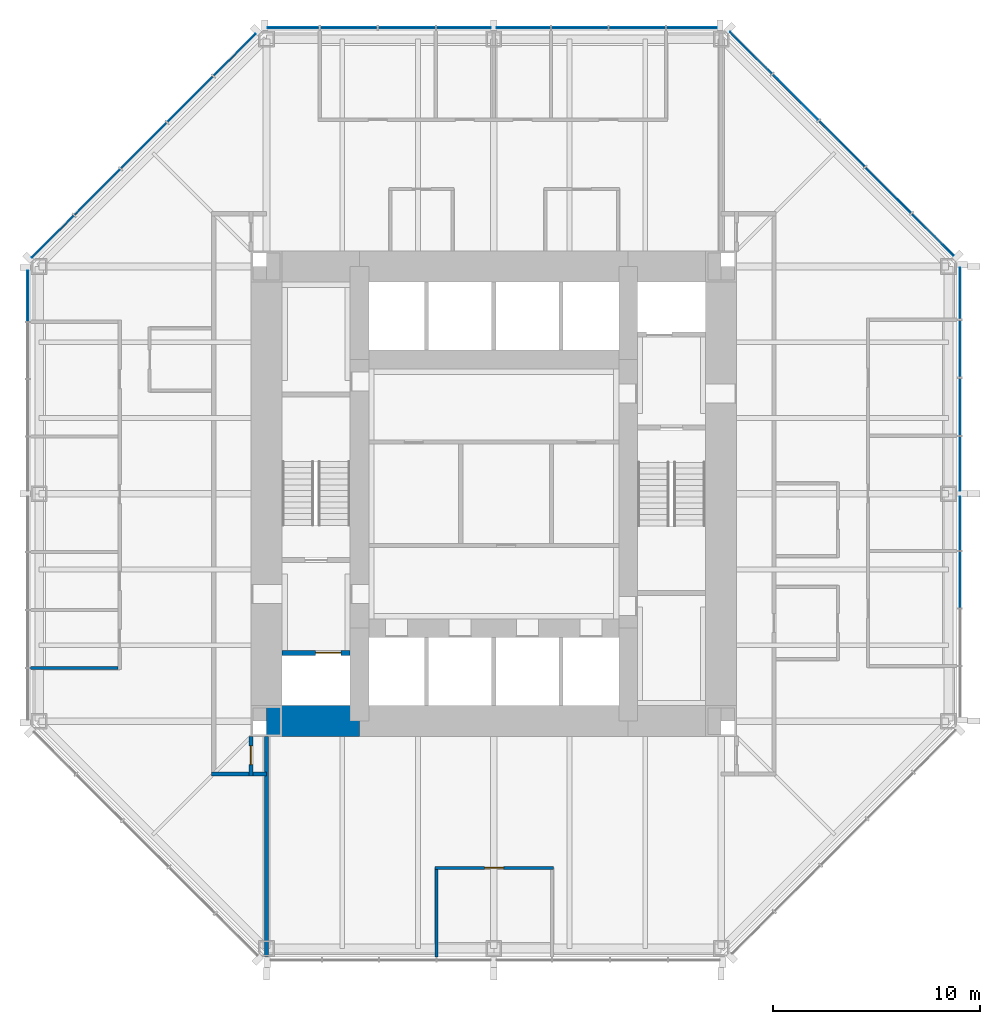
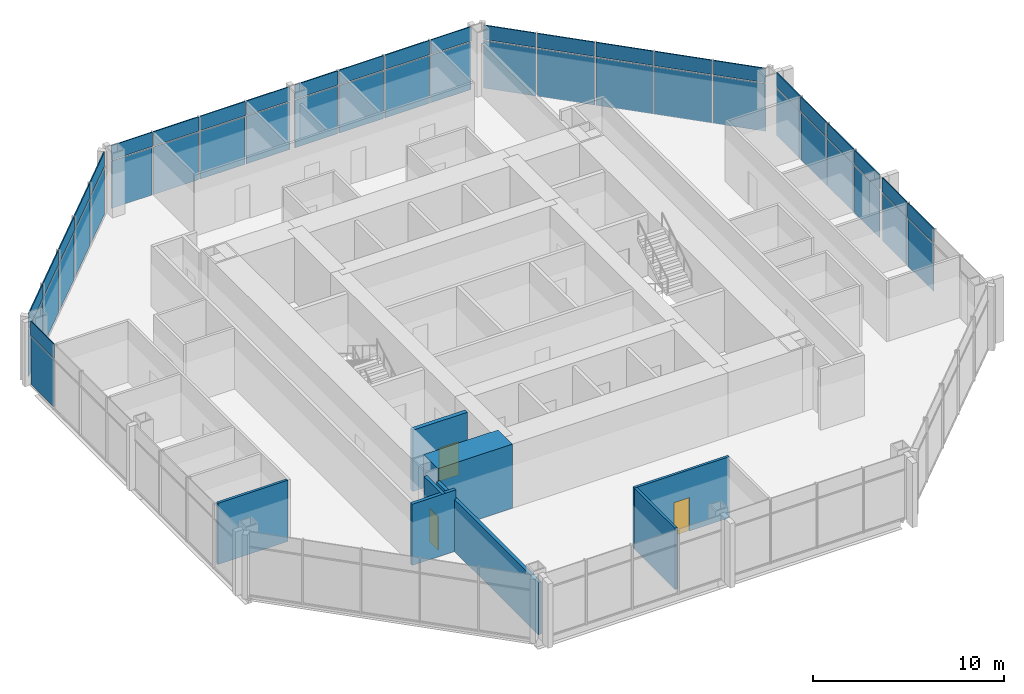
# One storey, part 8 of 12: 50 plates, 8 walls, 3 doors, 3 openings, 5 elements without a shape of their own.
"""IFC4 building model written with IfcOpenShell, lengths in metres."""

import ifcopenshell
import ifcopenshell.guid

model = None  # the IFC model being written
_history = None  # IfcOwnerHistory: only IFC2X3 demands one
_inside = {}  # id of a spatial element -> (the spatial element, [elements in it])
_under = {}  # id of a project, library or spatial element -> (it, [spatial elements below it])
_declared = {}  # id of a project -> (the project, [libraries it declares])
_typed = {}  # id of a type object -> (the type object, [elements of that type])
_made_of = {}  # id of a material, layer set ... -> (it, [elements and type objects made of it])


def new_model(schema):
    """Start an empty IFC model of exactly this schema.

    Asked for "IFC4X3", IfcOpenShell would pick the latest addendum, in which some entities
    have other attributes; the version numbers below select the first issue.
    IFC2X3 requires an IfcOwnerHistory on every rooted entity: one is made here for all.
    """
    global model, _history
    if schema == "IFC4X3":
        model = ifcopenshell.file(schema_version=(4, 3, 0, 0))
    else:
        model = ifcopenshell.file(schema=schema)
    _inside.clear()
    _under.clear()
    _declared.clear()
    _typed.clear()
    _made_of.clear()
    _history = None
    if model.schema == "IFC2X3":
        org = make("IfcOrganization", Name="unknown")
        user = make(
            "IfcPersonAndOrganization",
            ThePerson=make("IfcPerson", FamilyName="unknown"),
            TheOrganization=org,
        )
        app = make(
            "IfcApplication",
            ApplicationDeveloper=org,
            Version="unknown",
            ApplicationFullName="unknown",
            ApplicationIdentifier="unknown",
        )
        _history = make(
            "IfcOwnerHistory",
            OwningUser=user,
            OwningApplication=app,
            ChangeAction="ADDED",
            CreationDate=0,
        )
    return model


def make(cls, **values):
    """One entity of the class cls with the attributes given. An attribute that is None is left unset."""
    return model.create_entity(
        cls, **{name: value for name, value in values.items() if value is not None}
    )


def rooted(cls, **values):
    """An entity with a GlobalId (a new one), such as an element, a storey or a relation."""
    return make(cls, GlobalId=ifcopenshell.guid.new(), OwnerHistory=_history, **values)


def si_unit(unit_type, name, prefix=None):
    """IfcSIUnit, for example si_unit("LENGTHUNIT", "METRE", prefix="MILLI")."""
    return make("IfcSIUnit", UnitType=unit_type, Prefix=prefix, Name=name)


def assignment(units):
    """IfcUnitAssignment: the units of a project."""
    return None if units is None else make("IfcUnitAssignment", Units=units)


def point(xyz):
    """IfcCartesianPoint."""
    return None if xyz is None else make("IfcCartesianPoint", Coordinates=xyz)


def direction(xyz):
    """IfcDirection."""
    return None if xyz is None else make("IfcDirection", DirectionRatios=xyz)


def frame(location, z_axis=None, x_axis=None):
    """IfcAxis2Placement3D, a coordinate frame: its origin and axes. An axis left out is left unset."""
    return make(
        "IfcAxis2Placement3D",
        Location=point(location),
        Axis=direction(z_axis),
        RefDirection=direction(x_axis),
    )


def frame_2d(location, x_axis=None):
    """IfcAxis2Placement2D, a coordinate frame in the plane: its origin and x axis."""
    return make(
        "IfcAxis2Placement2D", Location=point(location), RefDirection=direction(x_axis)
    )


def origin():
    """The frame at (0, 0, 0) with its axes left unset."""
    return frame((0.0, 0.0, 0.0))


def origin_2d():
    """The frame at (0, 0) in the plane with its x axis left unset."""
    return frame_2d((0.0, 0.0))


def place(relative_to, where):
    """IfcLocalPlacement: puts the frame where relative to a parent placement (None: the world)."""
    return make(
        "IfcLocalPlacement", PlacementRelTo=relative_to, RelativePlacement=where
    )


def context(
    kind, dimensions, precision=None, world=None, true_north=None, identifier=None
):
    """IfcGeometricRepresentationContext, for example the 3D "Model" context."""
    return make(
        "IfcGeometricRepresentationContext",
        ContextIdentifier=identifier,
        ContextType=kind,
        CoordinateSpaceDimension=dimensions,
        Precision=precision,
        WorldCoordinateSystem=world,
        TrueNorth=true_north,
    )


def subcontext(parent, identifier, kind, view, scale=None):
    """IfcGeometricRepresentationSubContext, for example "Body" below "Model"."""
    return make(
        "IfcGeometricRepresentationSubContext",
        ContextIdentifier=identifier,
        ContextType=kind,
        ParentContext=parent,
        TargetScale=scale,
        TargetView=view,
    )


def project(units=None, contexts=None):
    """IfcProject with its units and contexts."""
    return rooted(
        "IfcProject",
        Name="project",
        RepresentationContexts=contexts,
        UnitsInContext=assignment(units),
    )


def spatial(cls, under=None, at=None, **own):
    """A site, building, storey or space (cls), placed at a placement, below another one or the project."""
    s = rooted(cls, ObjectPlacement=at, **own)
    if under is not None:
        _under.setdefault(under.id(), (under, []))[1].append(s)
    return s


def profile(cls, at=None, kind="AREA", **sizes):
    """A parametric profile (cls). Its sizes go by their IFC names, for example OverallWidth=200.0."""
    return make(cls, ProfileType=kind, Position=at, **sizes)


def rectangle(**sizes):
    """IfcRectangleProfileDef."""
    return profile("IfcRectangleProfileDef", **sizes)


def extrude(swept, where, along, depth):
    """IfcExtrudedAreaSolid: the profile swept, set in the frame where, extruded along a direction by depth."""
    return make(
        "IfcExtrudedAreaSolid",
        SweptArea=swept,
        Position=where,
        ExtrudedDirection=direction(along),
        Depth=depth,
    )


def shape(context_of_items, identifier, shape_type, items):
    """IfcShapeRepresentation: the items that make up one representation, for example the "Body"."""
    return make(
        "IfcShapeRepresentation",
        ContextOfItems=context_of_items,
        RepresentationIdentifier=identifier,
        RepresentationType=shape_type,
        Items=items,
    )


def material(Name=None, Category=None):
    """IfcMaterial."""
    return make("IfcMaterial", Name=Name, Category=Category)


def layer(
    of_material, thickness, ventilated=None, Name=None, Category=None, Priority=None
):
    """IfcMaterialLayer: one layer of a wall or slab, of a material (None: an air gap)."""
    return make(
        "IfcMaterialLayer",
        Material=of_material,
        LayerThickness=thickness,
        IsVentilated=ventilated,
        Name=Name,
        Category=Category,
        Priority=Priority,
    )


def layer_set(layers, Name=None):
    """IfcMaterialLayerSet."""
    return make("IfcMaterialLayerSet", MaterialLayers=layers, LayerSetName=Name)


def made_of(thing, what):
    """Note that an element or type object is made of a material, layer set ...; save() writes the relation."""
    if what is not None:
        _made_of.setdefault(what.id(), (what, []))[1].append(thing)
    return thing


def type_object(cls, material=None, **own):
    """A type object (cls), such as IfcWallType, which elements share."""
    return made_of(rooted(cls, **own), material)


def element(
    cls,
    number,
    at=None,
    inside=None,
    cuts=None,
    type_object=None,
    material=None,
    context=None,
    identifier="Body",
    shape_type=None,
    held_by="IfcProductDefinitionShape",
    body=None,
    shapes=None,
    **own,
):
    """One element of the class cls, such as IfcWall. Its Tag is "e" and its number.

    at: its placement. inside: the storey or other place that contains it. cuts: it is an
    opening in that element (IfcRelVoidsElement). A single representation is given by context,
    identifier, shape_type and body (its items); several are given by shapes. held_by: the class
    of the entity that holds the representations. save() writes the other relations.
    """
    e = rooted(cls, Tag="e%d" % number, ObjectPlacement=at, **own)
    if body is not None:
        shapes = [shape(context, identifier, shape_type, body)]
    if shapes is not None:
        e.Representation = make(held_by, Representations=shapes)
    if inside is not None:
        _inside.setdefault(inside.id(), (inside, []))[1].append(e)
    if cuts is not None:
        rooted(
            "IfcRelVoidsElement", RelatingBuildingElement=cuts, RelatedOpeningElement=e
        )
    if type_object is not None:
        _typed.setdefault(type_object.id(), (type_object, []))[1].append(e)
    return made_of(e, material)


def fill(opening, filler):
    """IfcRelFillsElement: the door or window that sits in an opening."""
    return rooted(
        "IfcRelFillsElement",
        RelatingOpeningElement=opening,
        RelatedBuildingElement=filler,
    )


def aggregate(whole, parts):
    """IfcRelAggregates: a whole, such as a stair, and the parts it consists of."""
    return rooted("IfcRelAggregates", RelatingObject=whole, RelatedObjects=parts)


def save(model, path):
    """Write the relations noted so far, then the file.

    IfcRelAggregates (storeys below a building ...), IfcRelContainedInSpatialStructure (elements
    in a storey), IfcRelDefinesByType, IfcRelAssociatesMaterial and IfcRelDeclares: one each for
    every whole, place, type object, material and project.
    """
    for whole, parts in _under.values():
        aggregate(whole, parts)
    for where, things in _inside.values():
        rooted(
            "IfcRelContainedInSpatialStructure",
            RelatedElements=things,
            RelatingStructure=where,
        )
    for kind, things in _typed.values():
        rooted("IfcRelDefinesByType", RelatedObjects=things, RelatingType=kind)
    for what, things in _made_of.values():
        rooted("IfcRelAssociatesMaterial", RelatedObjects=things, RelatingMaterial=what)
    for by, libraries in _declared.values():
        rooted("IfcRelDeclares", RelatingContext=by, RelatedDefinitions=libraries)
    model.write(path)


model = new_model("IFC4")

# Units and contexts
model_context = context("Model", 3, precision=1e-05, world=origin(), true_north=direction((0.0, 1.0)))
body_context = subcontext(model_context, "Body", "Model", "MODEL_VIEW")
ifc_project = project(units=[si_unit("LENGTHUNIT", "METRE"), si_unit("AREAUNIT", "SQUARE_METRE"), si_unit("VOLUMEUNIT", "CUBIC_METRE"), si_unit("PLANEANGLEUNIT", "RADIAN"), si_unit("MASSUNIT", "GRAM", prefix="KILO")], contexts=[model_context])

# Site, building, storey
site_placement = place(None, origin())
site = spatial("IfcSite", under=ifc_project, at=site_placement, CompositionType="ELEMENT")
building_placement = place(site_placement, origin())
building = spatial("IfcBuilding", under=site, at=building_placement, Name="Trevanion Tower", CompositionType="ELEMENT")
storey_placement = place(building_placement, frame((0.0, 0.0, 129.5)))
storey = spatial("IfcBuildingStorey", under=building, at=storey_placement, Name="L30", CompositionType="ELEMENT", Elevation=129.5)

# Curtain wall, plates
ifc_material_1 = material(Name="Aluminium and glass", Category="aluminium")
curtain_wall_type = type_object("IfcCurtainWallType", Name="CW2 curtain wall", PredefinedType="USERDEFINED", material=ifc_material_1)
curtain_wall_1_placement = place(storey_placement, origin())
curtain_wall_1 = element("IfcCurtainWall", 1, at=curtain_wall_1_placement, inside=storey, type_object=curtain_wall_type, Name="CW2 L30 0", ObjectType="UNITISED CURTAIN WALL", PredefinedType="USERDEFINED")
ifc_material_2 = material(Name="Aluminium spandrel panel", Category="aluminium")
ifc_layer_1 = layer(ifc_material_2, 0.06005859375)
ifc_layer_set_1 = layer_set([ifc_layer_1], Name="CW2 spandrel panel")
plate_type_1 = type_object("IfcPlateType", Name="CW2 spandrel panel", PredefinedType="CURTAIN_PANEL", material=ifc_layer_set_1)
plate_1_placement = place(storey_placement, frame((22.550048828125, -4.16162109375, 2.99755859375), z_axis=(0.0, 0.0, 1.0), x_axis=(0.0, 1.0, 0.0)))
plate_1 = element("IfcPlate", 2, at=plate_1_placement, type_object=plate_type_1, Name="CW2 panel 3.2", PredefinedType="CURTAIN_PANEL", context=body_context, shape_type="SweptSolid", body=[
    extrude(rectangle(XDim=2.699462890625, YDim=0.06005859375, at=origin_2d()), origin(), (0.0, 0.0, 1.0), 0.91259765625),
])
plate_2_placement = place(storey_placement, frame((22.550048828125, -1.443603515625, 2.99755859375), z_axis=(0.0, 0.0, 1.0), x_axis=(0.0, 1.0, 0.0)))
plate_2 = element("IfcPlate", 3, at=plate_2_placement, type_object=plate_type_1, Name="CW2 panel 4.2", PredefinedType="CURTAIN_PANEL", context=body_context, shape_type="SweptSolid", body=[
    extrude(rectangle(XDim=2.5869140625, YDim=0.06005859375, at=origin_2d()), origin(), (0.0, 0.0, 1.0), 0.91259765625),
])
plate_3_placement = place(storey_placement, frame((22.550048828125, 1.459716796875, 2.99755859375), z_axis=(0.0, 0.0, 1.0), x_axis=(0.0, 1.0, 0.0)))
plate_3 = element("IfcPlate", 4, at=plate_3_placement, type_object=plate_type_1, Name="CW2 panel 5.2", PredefinedType="CURTAIN_PANEL", context=body_context, shape_type="SweptSolid", body=[
    extrude(rectangle(XDim=2.619384765625, YDim=0.06005859375, at=origin_2d()), origin(), (0.0, 0.0, 1.0), 0.91259765625),
])
plate_4_placement = place(storey_placement, frame((22.550048828125, 4.21044921875, 2.99755859375), z_axis=(0.0, 0.0, 1.0), x_axis=(0.0, 1.0, 0.0)))
plate_4 = element("IfcPlate", 5, at=plate_4_placement, type_object=plate_type_1, Name="CW2 panel 6.2", PredefinedType="CURTAIN_PANEL", context=body_context, shape_type="SweptSolid", body=[
    extrude(rectangle(XDim=2.73193359375, YDim=0.06005859375, at=origin_2d()), origin(), (0.0, 0.0, 1.0), 0.91259765625),
])
plate_5_placement = place(storey_placement, frame((22.550048828125, 7.017333984375, 2.99755859375), z_axis=(0.0, 0.0, 1.0), x_axis=(0.0, 1.0, 0.0)))
plate_5 = element("IfcPlate", 6, at=plate_5_placement, type_object=plate_type_1, Name="CW2 panel 7.2", PredefinedType="CURTAIN_PANEL", context=body_context, shape_type="SweptSolid", body=[
    extrude(rectangle(XDim=2.73193359375, YDim=0.06005859375, at=origin_2d()), origin(), (0.0, 0.0, 1.0), 0.91259765625),
])
plate_6_placement = place(storey_placement, frame((22.550048828125, 9.693115234375, 2.99755859375), z_axis=(0.0, 0.0, 1.0), x_axis=(0.0, 1.0, 0.0)))
plate_6 = element("IfcPlate", 7, at=plate_6_placement, type_object=plate_type_1, Name="CW2 panel 8.2", PredefinedType="CURTAIN_PANEL", context=body_context, shape_type="SweptSolid", body=[
    extrude(rectangle(XDim=2.469482421875, YDim=0.06005859375, at=origin_2d()), origin(), (0.0, 0.0, 1.0), 0.91259765625),
])

curtain_wall_2_placement = place(storey_placement, origin())
curtain_wall_2 = element("IfcCurtainWall", 8, at=curtain_wall_2_placement, inside=storey, type_object=curtain_wall_type, Name="CW2 L30 1", ObjectType="UNITISED CURTAIN WALL", PredefinedType="USERDEFINED")
plate_7_placement = place(storey_placement, frame((21.2421875, 12.53564453125, 2.99755859375), z_axis=(0.0, 0.0, 1.0), x_axis=(-0.707106781187, 0.707106781187, 0.0)))
plate_7 = element("IfcPlate", 9, at=plate_7_placement, type_object=plate_type_1, Name="CW2 panel 1.2", PredefinedType="CURTAIN_PANEL", context=body_context, shape_type="SweptSolid", body=[
    extrude(rectangle(XDim=2.8388671875, YDim=0.06005859375, at=origin_2d()), origin(), (0.0, 0.0, 1.0), 0.91259765625),
])
plate_8_placement = place(storey_placement, frame((19.089111328125, 14.688720703125, 2.99755859375), z_axis=(0.0, 0.0, 1.0), x_axis=(-0.707106781187, 0.707106781187, 0.0)))
plate_8 = element("IfcPlate", 10, at=plate_8_placement, type_object=plate_type_1, Name="CW2 panel 2.2", PredefinedType="CURTAIN_PANEL", context=body_context, shape_type="SweptSolid", body=[
    extrude(rectangle(XDim=3.101318359375, YDim=0.06005859375, at=origin_2d()), origin(), (0.0, 0.0, 1.0), 0.91259765625),
])
plate_9_placement = place(storey_placement, frame((16.843017578125, 16.934814453125, 2.99755859375), z_axis=(0.0, 0.0, 1.0), x_axis=(-0.707106781187, 0.707106781187, 0.0)))
plate_9 = element("IfcPlate", 11, at=plate_9_placement, type_object=plate_type_1, Name="CW2 panel 3.2", PredefinedType="CURTAIN_PANEL", context=body_context, shape_type="SweptSolid", body=[
    extrude(rectangle(XDim=3.101318359375, YDim=0.06005859375, at=origin_2d()), origin(), (0.0, 0.0, 1.0), 0.91259765625),
])
plate_10_placement = place(storey_placement, frame((14.596923828125, 19.180908203125, 2.99755859375), z_axis=(0.0, 0.0, 1.0), x_axis=(-0.707106781187, 0.707106781187, 0.0)))
plate_10 = element("IfcPlate", 12, at=plate_10_placement, type_object=plate_type_1, Name="CW2 panel 4.2", PredefinedType="CURTAIN_PANEL", context=body_context, shape_type="SweptSolid", body=[
    extrude(rectangle(XDim=3.101318359375, YDim=0.06005859375, at=origin_2d()), origin(), (0.0, 0.0, 1.0), 0.91259765625),
])
plate_11_placement = place(storey_placement, frame((12.443603515625, 21.334228515625, 2.99755859375), z_axis=(0.0, 0.0, 1.0), x_axis=(-0.707106781187, 0.707106781187, 0.0)))
plate_11 = element("IfcPlate", 13, at=plate_11_placement, type_object=plate_type_1, Name="CW2 panel 5.2", PredefinedType="CURTAIN_PANEL", context=body_context, shape_type="SweptSolid", body=[
    extrude(rectangle(XDim=2.8388671875, YDim=0.06005859375, at=origin_2d()), origin(), (0.0, 0.0, 1.0), 0.91259765625),
])

curtain_wall_3_placement = place(storey_placement, origin())
curtain_wall_3 = element("IfcCurtainWall", 14, at=curtain_wall_3_placement, inside=storey, type_object=curtain_wall_type, Name="CW2 L30 2", ObjectType="UNITISED CURTAIN WALL", PredefinedType="USERDEFINED")
plate_12_placement = place(storey_placement, frame((9.579345703125, 22.550048828125, 2.99755859375), z_axis=(0.0, 0.0, 1.0), x_axis=(-1.0, 0.0, 0.0)))
plate_12 = element("IfcPlate", 15, at=plate_12_placement, type_object=plate_type_1, Name="CW2 panel 1.2", PredefinedType="CURTAIN_PANEL", context=body_context, shape_type="SweptSolid", body=[
    extrude(rectangle(XDim=2.43701171875, YDim=0.06005859375, at=origin_2d()), origin(), (0.0, 0.0, 1.0), 0.91259765625),
])
plate_13_placement = place(storey_placement, frame((6.93603515625, 22.550048828125, 2.99755859375), z_axis=(0.0, 0.0, 1.0), x_axis=(-1.0, 0.0, 0.0)))
plate_13 = element("IfcPlate", 16, at=plate_13_placement, type_object=plate_type_1, Name="CW2 panel 2.2", PredefinedType="CURTAIN_PANEL", context=body_context, shape_type="SweptSolid", body=[
    extrude(rectangle(XDim=2.699462890625, YDim=0.06005859375, at=origin_2d()), origin(), (0.0, 0.0, 1.0), 0.91259765625),
])
plate_14_placement = place(storey_placement, frame((4.16162109375, 22.550048828125, 2.99755859375), z_axis=(0.0, 0.0, 1.0), x_axis=(-1.0, 0.0, 0.0)))
plate_14 = element("IfcPlate", 17, at=plate_14_placement, type_object=plate_type_1, Name="CW2 panel 3.2", PredefinedType="CURTAIN_PANEL", context=body_context, shape_type="SweptSolid", body=[
    extrude(rectangle(XDim=2.699462890625, YDim=0.06005859375, at=origin_2d()), origin(), (0.0, 0.0, 1.0), 0.91259765625),
])
plate_15_placement = place(storey_placement, frame((1.443603515625, 22.550048828125, 2.99755859375), z_axis=(0.0, 0.0, 1.0), x_axis=(-1.0, 0.0, 0.0)))
plate_15 = element("IfcPlate", 18, at=plate_15_placement, type_object=plate_type_1, Name="CW2 panel 4.2", PredefinedType="CURTAIN_PANEL", context=body_context, shape_type="SweptSolid", body=[
    extrude(rectangle(XDim=2.5869140625, YDim=0.06005859375, at=origin_2d()), origin(), (0.0, 0.0, 1.0), 0.91259765625),
])
plate_16_placement = place(storey_placement, frame((-1.459716796875, 22.550048828125, 2.99755859375), z_axis=(0.0, 0.0, 1.0), x_axis=(-1.0, 0.0, 0.0)))
plate_16 = element("IfcPlate", 19, at=plate_16_placement, type_object=plate_type_1, Name="CW2 panel 5.2", PredefinedType="CURTAIN_PANEL", context=body_context, shape_type="SweptSolid", body=[
    extrude(rectangle(XDim=2.619384765625, YDim=0.06005859375, at=origin_2d()), origin(), (0.0, 0.0, 1.0), 0.91259765625),
])
plate_17_placement = place(storey_placement, frame((-4.21044921875, 22.550048828125, 2.99755859375), z_axis=(0.0, 0.0, 1.0), x_axis=(-1.0, 0.0, 0.0)))
plate_17 = element("IfcPlate", 20, at=plate_17_placement, type_object=plate_type_1, Name="CW2 panel 6.2", PredefinedType="CURTAIN_PANEL", context=body_context, shape_type="SweptSolid", body=[
    extrude(rectangle(XDim=2.73193359375, YDim=0.06005859375, at=origin_2d()), origin(), (0.0, 0.0, 1.0), 0.91259765625),
])
plate_18_placement = place(storey_placement, frame((-7.017333984375, 22.550048828125, 2.99755859375), z_axis=(0.0, 0.0, 1.0), x_axis=(-1.0, 0.0, 0.0)))
plate_18 = element("IfcPlate", 21, at=plate_18_placement, type_object=plate_type_1, Name="CW2 panel 7.2", PredefinedType="CURTAIN_PANEL", context=body_context, shape_type="SweptSolid", body=[
    extrude(rectangle(XDim=2.73193359375, YDim=0.06005859375, at=origin_2d()), origin(), (0.0, 0.0, 1.0), 0.91259765625),
])
plate_19_placement = place(storey_placement, frame((-9.693115234375, 22.550048828125, 2.99755859375), z_axis=(0.0, 0.0, 1.0), x_axis=(-1.0, 0.0, 0.0)))
plate_19 = element("IfcPlate", 22, at=plate_19_placement, type_object=plate_type_1, Name="CW2 panel 8.2", PredefinedType="CURTAIN_PANEL", context=body_context, shape_type="SweptSolid", body=[
    extrude(rectangle(XDim=2.469482421875, YDim=0.06005859375, at=origin_2d()), origin(), (0.0, 0.0, 1.0), 0.91259765625),
])

curtain_wall_4_placement = place(storey_placement, origin())
curtain_wall_4 = element("IfcCurtainWall", 23, at=curtain_wall_4_placement, inside=storey, type_object=curtain_wall_type, Name="CW2 L30 3", ObjectType="UNITISED CURTAIN WALL", PredefinedType="USERDEFINED")
plate_20_placement = place(storey_placement, frame((-12.53564453125, 21.2421875, 2.99755859375), z_axis=(0.0, 0.0, 1.0), x_axis=(-0.707106781187, -0.707106781187, 0.0)))
plate_20 = element("IfcPlate", 24, at=plate_20_placement, type_object=plate_type_1, Name="CW2 panel 1.2", PredefinedType="CURTAIN_PANEL", context=body_context, shape_type="SweptSolid", body=[
    extrude(rectangle(XDim=2.8388671875, YDim=0.06005859375, at=origin_2d()), origin(), (0.0, 0.0, 1.0), 0.91259765625),
])
plate_21_placement = place(storey_placement, frame((-14.688720703125, 19.089111328125, 2.99755859375), z_axis=(0.0, 0.0, 1.0), x_axis=(-0.707106781187, -0.707106781187, 0.0)))
plate_21 = element("IfcPlate", 25, at=plate_21_placement, type_object=plate_type_1, Name="CW2 panel 2.2", PredefinedType="CURTAIN_PANEL", context=body_context, shape_type="SweptSolid", body=[
    extrude(rectangle(XDim=3.101318359375, YDim=0.06005859375, at=origin_2d()), origin(), (0.0, 0.0, 1.0), 0.91259765625),
])
plate_22_placement = place(storey_placement, frame((-16.934814453125, 16.843017578125, 2.99755859375), z_axis=(0.0, 0.0, 1.0), x_axis=(-0.707106781187, -0.707106781187, 0.0)))
plate_22 = element("IfcPlate", 26, at=plate_22_placement, type_object=plate_type_1, Name="CW2 panel 3.2", PredefinedType="CURTAIN_PANEL", context=body_context, shape_type="SweptSolid", body=[
    extrude(rectangle(XDim=3.101318359375, YDim=0.06005859375, at=origin_2d()), origin(), (0.0, 0.0, 1.0), 0.91259765625),
])
plate_23_placement = place(storey_placement, frame((-19.180908203125, 14.596923828125, 2.99755859375), z_axis=(0.0, 0.0, 1.0), x_axis=(-0.707106781187, -0.707106781187, 0.0)))
plate_23 = element("IfcPlate", 27, at=plate_23_placement, type_object=plate_type_1, Name="CW2 panel 4.2", PredefinedType="CURTAIN_PANEL", context=body_context, shape_type="SweptSolid", body=[
    extrude(rectangle(XDim=3.101318359375, YDim=0.06005859375, at=origin_2d()), origin(), (0.0, 0.0, 1.0), 0.91259765625),
])
plate_24_placement = place(storey_placement, frame((-21.334228515625, 12.443603515625, 2.99755859375), z_axis=(0.0, 0.0, 1.0), x_axis=(-0.707106781187, -0.707106781187, 0.0)))
plate_24 = element("IfcPlate", 28, at=plate_24_placement, type_object=plate_type_1, Name="CW2 panel 5.2", PredefinedType="CURTAIN_PANEL", context=body_context, shape_type="SweptSolid", body=[
    extrude(rectangle(XDim=2.8388671875, YDim=0.06005859375, at=origin_2d()), origin(), (0.0, 0.0, 1.0), 0.91259765625),
])

# Curtain wall, plate
curtain_wall_5_placement = place(storey_placement, origin())
curtain_wall_5 = element("IfcCurtainWall", 29, at=curtain_wall_5_placement, inside=storey, type_object=curtain_wall_type, Name="CW2 L30 4", ObjectType="UNITISED CURTAIN WALL", PredefinedType="USERDEFINED")
plate_25_placement = place(storey_placement, frame((-22.550048828125, 9.579345703125, 2.99755859375), z_axis=(0.0, 0.0, 1.0), x_axis=(0.0, -1.0, 0.0)))
plate_25 = element("IfcPlate", 30, at=plate_25_placement, type_object=plate_type_1, Name="CW2 panel 1.2", PredefinedType="CURTAIN_PANEL", context=body_context, shape_type="SweptSolid", body=[
    extrude(rectangle(XDim=2.43701171875, YDim=0.06005859375, at=origin_2d()), origin(), (0.0, 0.0, 1.0), 0.91259765625),
])

# Plate
ifc_material_3 = material(Name="Insulating glass unit", Category="glass")
ifc_layer_2 = layer(ifc_material_3, 0.028076171875)
ifc_layer_set_2 = layer_set([ifc_layer_2], Name="CW2 vision panel")
plate_type_2 = type_object("IfcPlateType", Name="CW2 vision panel", PredefinedType="CURTAIN_PANEL", material=ifc_layer_set_2)
plate_26_placement = place(storey_placement, frame((22.550048828125, -4.16162109375, -0.114990234375), z_axis=(0.0, 0.0, 1.0), x_axis=(0.0, 1.0, 0.0)))
plate_26 = element("IfcPlate", 31, at=plate_26_placement, type_object=plate_type_2, Name="CW2 panel 3.1", PredefinedType="CURTAIN_PANEL", context=body_context, shape_type="SweptSolid", body=[
    extrude(rectangle(XDim=2.699462890625, YDim=0.028076171875, at=origin_2d()), origin(), (0.0, 0.0, 1.0), 3.03759765625),
])

plate_27_placement = place(storey_placement, frame((22.550048828125, -1.443603515625, -0.114990234375), z_axis=(0.0, 0.0, 1.0), x_axis=(0.0, 1.0, 0.0)))
plate_27 = element("IfcPlate", 32, at=plate_27_placement, type_object=plate_type_2, Name="CW2 panel 4.1", PredefinedType="CURTAIN_PANEL", context=body_context, shape_type="SweptSolid", body=[
    extrude(rectangle(XDim=2.5869140625, YDim=0.028076171875, at=origin_2d()), origin(), (0.0, 0.0, 1.0), 3.03759765625),
])

plate_28_placement = place(storey_placement, frame((22.550048828125, 1.459716796875, -0.114990234375), z_axis=(0.0, 0.0, 1.0), x_axis=(0.0, 1.0, 0.0)))
plate_28 = element("IfcPlate", 33, at=plate_28_placement, type_object=plate_type_2, Name="CW2 panel 5.1", PredefinedType="CURTAIN_PANEL", context=body_context, shape_type="SweptSolid", body=[
    extrude(rectangle(XDim=2.619384765625, YDim=0.028076171875, at=origin_2d()), origin(), (0.0, 0.0, 1.0), 3.03759765625),
])

plate_29_placement = place(storey_placement, frame((22.550048828125, 4.21044921875, -0.114990234375), z_axis=(0.0, 0.0, 1.0), x_axis=(0.0, 1.0, 0.0)))
plate_29 = element("IfcPlate", 34, at=plate_29_placement, type_object=plate_type_2, Name="CW2 panel 6.1", PredefinedType="CURTAIN_PANEL", context=body_context, shape_type="SweptSolid", body=[
    extrude(rectangle(XDim=2.73193359375, YDim=0.028076171875, at=origin_2d()), origin(), (0.0, 0.0, 1.0), 3.03759765625),
])

plate_30_placement = place(storey_placement, frame((22.550048828125, 7.017333984375, -0.114990234375), z_axis=(0.0, 0.0, 1.0), x_axis=(0.0, 1.0, 0.0)))
plate_30 = element("IfcPlate", 35, at=plate_30_placement, type_object=plate_type_2, Name="CW2 panel 7.1", PredefinedType="CURTAIN_PANEL", context=body_context, shape_type="SweptSolid", body=[
    extrude(rectangle(XDim=2.73193359375, YDim=0.028076171875, at=origin_2d()), origin(), (0.0, 0.0, 1.0), 3.03759765625),
])

plate_31_placement = place(storey_placement, frame((22.550048828125, 9.693115234375, -0.114990234375), z_axis=(0.0, 0.0, 1.0), x_axis=(0.0, 1.0, 0.0)))
plate_31 = element("IfcPlate", 36, at=plate_31_placement, type_object=plate_type_2, Name="CW2 panel 8.1", PredefinedType="CURTAIN_PANEL", context=body_context, shape_type="SweptSolid", body=[
    extrude(rectangle(XDim=2.469482421875, YDim=0.028076171875, at=origin_2d()), origin(), (0.0, 0.0, 1.0), 3.03759765625),
])

aggregate(curtain_wall_1, [plate_26, plate_1, plate_27, plate_2, plate_28, plate_3, plate_29, plate_4, plate_30, plate_5, plate_31, plate_6])

plate_32_placement = place(storey_placement, frame((21.2421875, 12.53564453125, -0.114990234375), z_axis=(0.0, 0.0, 1.0), x_axis=(-0.707106781187, 0.707106781187, 0.0)))
plate_32 = element("IfcPlate", 37, at=plate_32_placement, type_object=plate_type_2, Name="CW2 panel 1.1", PredefinedType="CURTAIN_PANEL", context=body_context, shape_type="SweptSolid", body=[
    extrude(rectangle(XDim=2.8388671875, YDim=0.028076171875, at=origin_2d()), origin(), (0.0, 0.0, 1.0), 3.03759765625),
])

plate_33_placement = place(storey_placement, frame((19.089111328125, 14.688720703125, -0.114990234375), z_axis=(0.0, 0.0, 1.0), x_axis=(-0.707106781187, 0.707106781187, 0.0)))
plate_33 = element("IfcPlate", 38, at=plate_33_placement, type_object=plate_type_2, Name="CW2 panel 2.1", PredefinedType="CURTAIN_PANEL", context=body_context, shape_type="SweptSolid", body=[
    extrude(rectangle(XDim=3.101318359375, YDim=0.028076171875, at=origin_2d()), origin(), (0.0, 0.0, 1.0), 3.03759765625),
])

plate_34_placement = place(storey_placement, frame((16.843017578125, 16.934814453125, -0.114990234375), z_axis=(0.0, 0.0, 1.0), x_axis=(-0.707106781187, 0.707106781187, 0.0)))
plate_34 = element("IfcPlate", 39, at=plate_34_placement, type_object=plate_type_2, Name="CW2 panel 3.1", PredefinedType="CURTAIN_PANEL", context=body_context, shape_type="SweptSolid", body=[
    extrude(rectangle(XDim=3.101318359375, YDim=0.028076171875, at=origin_2d()), origin(), (0.0, 0.0, 1.0), 3.03759765625),
])

plate_35_placement = place(storey_placement, frame((14.596923828125, 19.180908203125, -0.114990234375), z_axis=(0.0, 0.0, 1.0), x_axis=(-0.707106781187, 0.707106781187, 0.0)))
plate_35 = element("IfcPlate", 40, at=plate_35_placement, type_object=plate_type_2, Name="CW2 panel 4.1", PredefinedType="CURTAIN_PANEL", context=body_context, shape_type="SweptSolid", body=[
    extrude(rectangle(XDim=3.101318359375, YDim=0.028076171875, at=origin_2d()), origin(), (0.0, 0.0, 1.0), 3.03759765625),
])

plate_36_placement = place(storey_placement, frame((12.443603515625, 21.334228515625, -0.114990234375), z_axis=(0.0, 0.0, 1.0), x_axis=(-0.707106781187, 0.707106781187, 0.0)))
plate_36 = element("IfcPlate", 41, at=plate_36_placement, type_object=plate_type_2, Name="CW2 panel 5.1", PredefinedType="CURTAIN_PANEL", context=body_context, shape_type="SweptSolid", body=[
    extrude(rectangle(XDim=2.8388671875, YDim=0.028076171875, at=origin_2d()), origin(), (0.0, 0.0, 1.0), 3.03759765625),
])

aggregate(curtain_wall_2, [plate_32, plate_7, plate_33, plate_8, plate_34, plate_9, plate_35, plate_10, plate_36, plate_11])

plate_37_placement = place(storey_placement, frame((9.579345703125, 22.550048828125, -0.114990234375), z_axis=(0.0, 0.0, 1.0), x_axis=(-1.0, 0.0, 0.0)))
plate_37 = element("IfcPlate", 42, at=plate_37_placement, type_object=plate_type_2, Name="CW2 panel 1.1", PredefinedType="CURTAIN_PANEL", context=body_context, shape_type="SweptSolid", body=[
    extrude(rectangle(XDim=2.43701171875, YDim=0.028076171875, at=origin_2d()), origin(), (0.0, 0.0, 1.0), 3.03759765625),
])

plate_38_placement = place(storey_placement, frame((6.93603515625, 22.550048828125, -0.114990234375), z_axis=(0.0, 0.0, 1.0), x_axis=(-1.0, 0.0, 0.0)))
plate_38 = element("IfcPlate", 43, at=plate_38_placement, type_object=plate_type_2, Name="CW2 panel 2.1", PredefinedType="CURTAIN_PANEL", context=body_context, shape_type="SweptSolid", body=[
    extrude(rectangle(XDim=2.699462890625, YDim=0.028076171875, at=origin_2d()), origin(), (0.0, 0.0, 1.0), 3.03759765625),
])

plate_39_placement = place(storey_placement, frame((4.16162109375, 22.550048828125, -0.114990234375), z_axis=(0.0, 0.0, 1.0), x_axis=(-1.0, 0.0, 0.0)))
plate_39 = element("IfcPlate", 44, at=plate_39_placement, type_object=plate_type_2, Name="CW2 panel 3.1", PredefinedType="CURTAIN_PANEL", context=body_context, shape_type="SweptSolid", body=[
    extrude(rectangle(XDim=2.699462890625, YDim=0.028076171875, at=origin_2d()), origin(), (0.0, 0.0, 1.0), 3.03759765625),
])

plate_40_placement = place(storey_placement, frame((1.443603515625, 22.550048828125, -0.114990234375), z_axis=(0.0, 0.0, 1.0), x_axis=(-1.0, 0.0, 0.0)))
plate_40 = element("IfcPlate", 45, at=plate_40_placement, type_object=plate_type_2, Name="CW2 panel 4.1", PredefinedType="CURTAIN_PANEL", context=body_context, shape_type="SweptSolid", body=[
    extrude(rectangle(XDim=2.5869140625, YDim=0.028076171875, at=origin_2d()), origin(), (0.0, 0.0, 1.0), 3.03759765625),
])

plate_41_placement = place(storey_placement, frame((-1.459716796875, 22.550048828125, -0.114990234375), z_axis=(0.0, 0.0, 1.0), x_axis=(-1.0, 0.0, 0.0)))
plate_41 = element("IfcPlate", 46, at=plate_41_placement, type_object=plate_type_2, Name="CW2 panel 5.1", PredefinedType="CURTAIN_PANEL", context=body_context, shape_type="SweptSolid", body=[
    extrude(rectangle(XDim=2.619384765625, YDim=0.028076171875, at=origin_2d()), origin(), (0.0, 0.0, 1.0), 3.03759765625),
])

plate_42_placement = place(storey_placement, frame((-4.21044921875, 22.550048828125, -0.114990234375), z_axis=(0.0, 0.0, 1.0), x_axis=(-1.0, 0.0, 0.0)))
plate_42 = element("IfcPlate", 47, at=plate_42_placement, type_object=plate_type_2, Name="CW2 panel 6.1", PredefinedType="CURTAIN_PANEL", context=body_context, shape_type="SweptSolid", body=[
    extrude(rectangle(XDim=2.73193359375, YDim=0.028076171875, at=origin_2d()), origin(), (0.0, 0.0, 1.0), 3.03759765625),
])

plate_43_placement = place(storey_placement, frame((-7.017333984375, 22.550048828125, -0.114990234375), z_axis=(0.0, 0.0, 1.0), x_axis=(-1.0, 0.0, 0.0)))
plate_43 = element("IfcPlate", 48, at=plate_43_placement, type_object=plate_type_2, Name="CW2 panel 7.1", PredefinedType="CURTAIN_PANEL", context=body_context, shape_type="SweptSolid", body=[
    extrude(rectangle(XDim=2.73193359375, YDim=0.028076171875, at=origin_2d()), origin(), (0.0, 0.0, 1.0), 3.03759765625),
])

plate_44_placement = place(storey_placement, frame((-9.693115234375, 22.550048828125, -0.114990234375), z_axis=(0.0, 0.0, 1.0), x_axis=(-1.0, 0.0, 0.0)))
plate_44 = element("IfcPlate", 49, at=plate_44_placement, type_object=plate_type_2, Name="CW2 panel 8.1", PredefinedType="CURTAIN_PANEL", context=body_context, shape_type="SweptSolid", body=[
    extrude(rectangle(XDim=2.469482421875, YDim=0.028076171875, at=origin_2d()), origin(), (0.0, 0.0, 1.0), 3.03759765625),
])

aggregate(curtain_wall_3, [plate_37, plate_12, plate_38, plate_13, plate_39, plate_14, plate_40, plate_15, plate_41, plate_16, plate_42, plate_17, plate_43, plate_18, plate_44, plate_19])

plate_45_placement = place(storey_placement, frame((-12.53564453125, 21.2421875, -0.114990234375), z_axis=(0.0, 0.0, 1.0), x_axis=(-0.707106781187, -0.707106781187, 0.0)))
plate_45 = element("IfcPlate", 50, at=plate_45_placement, type_object=plate_type_2, Name="CW2 panel 1.1", PredefinedType="CURTAIN_PANEL", context=body_context, shape_type="SweptSolid", body=[
    extrude(rectangle(XDim=2.8388671875, YDim=0.028076171875, at=origin_2d()), origin(), (0.0, 0.0, 1.0), 3.03759765625),
])

plate_46_placement = place(storey_placement, frame((-14.688720703125, 19.089111328125, -0.114990234375), z_axis=(0.0, 0.0, 1.0), x_axis=(-0.707106781187, -0.707106781187, 0.0)))
plate_46 = element("IfcPlate", 51, at=plate_46_placement, type_object=plate_type_2, Name="CW2 panel 2.1", PredefinedType="CURTAIN_PANEL", context=body_context, shape_type="SweptSolid", body=[
    extrude(rectangle(XDim=3.101318359375, YDim=0.028076171875, at=origin_2d()), origin(), (0.0, 0.0, 1.0), 3.03759765625),
])

plate_47_placement = place(storey_placement, frame((-16.934814453125, 16.843017578125, -0.114990234375), z_axis=(0.0, 0.0, 1.0), x_axis=(-0.707106781187, -0.707106781187, 0.0)))
plate_47 = element("IfcPlate", 52, at=plate_47_placement, type_object=plate_type_2, Name="CW2 panel 3.1", PredefinedType="CURTAIN_PANEL", context=body_context, shape_type="SweptSolid", body=[
    extrude(rectangle(XDim=3.101318359375, YDim=0.028076171875, at=origin_2d()), origin(), (0.0, 0.0, 1.0), 3.03759765625),
])

plate_48_placement = place(storey_placement, frame((-19.180908203125, 14.596923828125, -0.114990234375), z_axis=(0.0, 0.0, 1.0), x_axis=(-0.707106781187, -0.707106781187, 0.0)))
plate_48 = element("IfcPlate", 53, at=plate_48_placement, type_object=plate_type_2, Name="CW2 panel 4.1", PredefinedType="CURTAIN_PANEL", context=body_context, shape_type="SweptSolid", body=[
    extrude(rectangle(XDim=3.101318359375, YDim=0.028076171875, at=origin_2d()), origin(), (0.0, 0.0, 1.0), 3.03759765625),
])

plate_49_placement = place(storey_placement, frame((-21.334228515625, 12.443603515625, -0.114990234375), z_axis=(0.0, 0.0, 1.0), x_axis=(-0.707106781187, -0.707106781187, 0.0)))
plate_49 = element("IfcPlate", 54, at=plate_49_placement, type_object=plate_type_2, Name="CW2 panel 5.1", PredefinedType="CURTAIN_PANEL", context=body_context, shape_type="SweptSolid", body=[
    extrude(rectangle(XDim=2.8388671875, YDim=0.028076171875, at=origin_2d()), origin(), (0.0, 0.0, 1.0), 3.03759765625),
])

aggregate(curtain_wall_4, [plate_45, plate_20, plate_46, plate_21, plate_47, plate_22, plate_48, plate_23, plate_49, plate_24])

plate_50_placement = place(storey_placement, frame((-22.550048828125, 9.579345703125, -0.114990234375), z_axis=(0.0, 0.0, 1.0), x_axis=(0.0, -1.0, 0.0)))
plate_50 = element("IfcPlate", 55, at=plate_50_placement, type_object=plate_type_2, Name="CW2 panel 1.1", PredefinedType="CURTAIN_PANEL", context=body_context, shape_type="SweptSolid", body=[
    extrude(rectangle(XDim=2.43701171875, YDim=0.028076171875, at=origin_2d()), origin(), (0.0, 0.0, 1.0), 3.03759765625),
])

aggregate(curtain_wall_5, [plate_50, plate_25])

# Walls
ifc_material_4 = material(Name="Concrete 10,000 psi", Category="concrete")
ifc_layer_3 = layer(ifc_material_4, 1.5)
ifc_layer_set_3 = layer_set([ifc_layer_3], Name="CW1 core wall 1500")
wall_type_1 = type_object("IfcWallType", Name="CW1 core wall 1500", PredefinedType="SHEAR", material=ifc_layer_set_3)
wall_1_placement = place(storey_placement, frame((-11.0, -11.0, 0.0), z_axis=(0.0, 0.0, 1.0), x_axis=(1.0, 0.0, 0.0)))
element("IfcWall", 56, at=wall_1_placement, inside=storey, type_object=wall_type_1, Name="CW1 CS1 L30", PredefinedType="SHEAR", context=body_context, shape_type="SweptSolid", body=[
    extrude(rectangle(XDim=4.5, YDim=1.5, at=frame_2d((2.25, 0.0))), origin(), (0.0, 0.0, 1.0), 4.10009765625),
])
ifc_material_5 = material(Name="Gypsum board on steel studs", Category="steel")
ifc_layer_4 = layer(ifc_material_5, 0.14990234375)
ifc_layer_set_4 = layer_set([ifc_layer_4], Name="PT1 partition 150")
wall_type_2 = type_object("IfcWallType", Name="PT1 partition 150", PredefinedType="PARTITIONING", material=ifc_layer_set_4)
wall_2_placement = place(storey_placement, frame((-18.175048828125, -8.4208984375, 0.0), z_axis=(0.0, 0.0, 1.0), x_axis=(-1.0, 0.0, 0.0)))
element("IfcWall", 57, at=wall_2_placement, inside=storey, type_object=wall_type_2, Name="PT1 L30 FC2S6", PredefinedType="PARTITIONING", context=body_context, shape_type="SweptSolid", body=[
    extrude(rectangle(XDim=4.239990234375, YDim=0.14990234375, at=frame_2d((2.1201171875, 0.0))), origin(), (0.0, 0.0, 1.0), 3.909912109375),
])

# Wall, opening, door
wall_3_placement = place(storey_placement, frame((-2.85009765625, -18.10009765625, 0.0), z_axis=(0.0, 0.0, 1.0), x_axis=(1.0, 0.0, 0.0)))
wall_3 = element("IfcWall", 58, at=wall_3_placement, inside=storey, type_object=wall_type_2, Name="PT1 L30 FC3F", PredefinedType="PARTITIONING", context=body_context, shape_type="SweptSolid", body=[
    extrude(rectangle(XDim=5.732177734375, YDim=0.14990234375, at=frame_2d((2.8662109375, 0.0))), origin(), (0.0, 0.0, 1.0), 3.909912109375),
])
opening_1_placement = place(wall_3_placement, frame((2.408447265625, 0.0, 0.0)))
opening_1 = element("IfcOpeningElement", 59, at=opening_1_placement, cuts=wall_3, Name="Opening 30-033", PredefinedType="OPENING", context=body_context, shape_type="SweptSolid", body=[
    extrude(rectangle(XDim=0.9150390625, YDim=2.134033203125, at=frame_2d((0.45751953125, 1.06689453125))), frame((0.0, 0.0849609375, 0.0), z_axis=(0.0, -1.0, 0.0), x_axis=(1.0, 0.0, 0.0)), (0.0, 0.0, 1.0), 0.169921875),
])
ifc_material_6 = material(Name="Timber veneer, solid core", Category="wood")
door_type_1 = type_object("IfcDoorType", Name="D1 office and meeting room door", OperationType="SINGLE_SWING_LEFT", PredefinedType="DOOR", material=ifc_material_6)
door_1_placement = place(opening_1_placement, origin())
door_1 = element("IfcDoor", 60, at=door_1_placement, inside=storey, type_object=door_type_1, Name="Door 30-033", OperationType="SINGLE_SWING_LEFT", OverallHeight=2.134033203125, OverallWidth=0.9150390625, PredefinedType="DOOR", context=body_context, shape_type="SweptSolid", body=[
    extrude(rectangle(XDim=0.9150390625, YDim=2.134033203125, at=frame_2d((0.45751953125, 1.06689453125))), frame((0.0, 0.02490234375, 0.0), z_axis=(0.0, -1.0, 0.0), x_axis=(1.0, 0.0, 0.0)), (0.0, 0.0, 1.0), 0.050048828125),
])
fill(opening_1, door_1)

# Wall
wall_4_placement = place(storey_placement, frame((-2.77490234375, -18.175048828125, 0.0), z_axis=(0.0, 0.0, 1.0), x_axis=(0.0, -1.0, 0.0)))
element("IfcWall", 61, at=wall_4_placement, inside=storey, type_object=wall_type_2, Name="PT1 L30 FC3S0", PredefinedType="PARTITIONING", context=body_context, shape_type="SweptSolid", body=[
    extrude(rectangle(XDim=4.239990234375, YDim=0.14990234375, at=frame_2d((2.1201171875, 0.0))), origin(), (0.0, 0.0, 1.0), 3.909912109375),
])

# Wall, opening, door
ifc_material_7 = material(Name="Concrete masonry, grouted", Category="masonry")
ifc_layer_5 = layer(ifc_material_7, 0.199951171875)
ifc_layer_set_5 = layer_set([ifc_layer_5], Name="PT2 partition 200 1 HR")
wall_type_3 = type_object("IfcWallType", Name="PT2 partition 200 1 HR", PredefinedType="PARTITIONING", material=ifc_layer_set_5)
wall_5_placement = place(storey_placement, frame((-11.75, -11.75, 0.0), z_axis=(0.0, 0.0, 1.0), x_axis=(0.0, -1.0, 0.0)))
wall_5 = element("IfcWall", 62, at=wall_5_placement, inside=storey, type_object=wall_type_3, Name="PT2 L30 OUSW1", PredefinedType="PARTITIONING", context=body_context, shape_type="SweptSolid", body=[
    extrude(rectangle(XDim=1.89990234375, YDim=0.199951171875, at=frame_2d((0.949951171875, 0.0))), origin(), (0.0, 0.0, 1.0), 3.909912109375),
])
opening_2_placement = place(wall_5_placement, frame((0.4423828125, 0.0, 0.0)))
opening_2 = element("IfcOpeningElement", 63, at=opening_2_placement, cuts=wall_5, Name="Opening 30-021", PredefinedType="OPENING", context=body_context, shape_type="SweptSolid", body=[
    extrude(rectangle(XDim=0.9150390625, YDim=2.134033203125, at=frame_2d((0.45751953125, 1.06689453125))), frame((0.0, 0.10986328125, 0.0), z_axis=(0.0, -1.0, 0.0), x_axis=(1.0, 0.0, 0.0)), (0.0, 0.0, 1.0), 0.219970703125),
])
ifc_material_8 = material(Name="Timber veneer, fire rated", Category="wood")
door_type_2 = type_object("IfcDoorType", Name="D10 office door in a one hour wall", OperationType="SINGLE_SWING_LEFT", PredefinedType="DOOR", material=ifc_material_8)
door_2_placement = place(opening_2_placement, frame((0.9150390625, 0.0, 0.0), z_axis=(0.0, 0.0, 1.0), x_axis=(-1.0, 0.0, 0.0)))
door_2 = element("IfcDoor", 64, at=door_2_placement, inside=storey, type_object=door_type_2, Name="Door 30-021", OperationType="SINGLE_SWING_LEFT", OverallHeight=2.134033203125, OverallWidth=0.9150390625, PredefinedType="DOOR", context=body_context, shape_type="SweptSolid", body=[
    extrude(rectangle(XDim=0.9150390625, YDim=2.134033203125, at=frame_2d((0.45751953125, 1.06689453125))), frame((0.0, 0.02490234375, 0.0), z_axis=(0.0, -1.0, 0.0), x_axis=(1.0, 0.0, 0.0)), (0.0, 0.0, 1.0), 0.050048828125),
])
fill(opening_2, door_2)

# Walls
wall_6_placement = place(storey_placement, frame((-11.0, -13.550048828125, 0.0), z_axis=(0.0, 0.0, 1.0), x_axis=(-1.0, 0.0, 0.0)))
element("IfcWall", 65, at=wall_6_placement, inside=storey, type_object=wall_type_3, Name="PT2 L30 OUSW2", PredefinedType="PARTITIONING", context=body_context, shape_type="SweptSolid", body=[
    extrude(rectangle(XDim=2.64990234375, YDim=0.199951171875, at=frame_2d((1.324951171875, 0.0))), origin(), (0.0, 0.0, 1.0), 3.909912109375),
])
wall_7_placement = place(storey_placement, frame((-11.0, -11.75, 0.0), z_axis=(0.0, 0.0, 1.0), x_axis=(0.0, -1.0, 0.0)))
element("IfcWall", 66, at=wall_7_placement, inside=storey, type_object=wall_type_3, Name="PT2 L30 DM2", PredefinedType="PARTITIONING", context=body_context, shape_type="SweptSolid", body=[
    extrude(rectangle(XDim=10.6650390625, YDim=0.199951171875, at=frame_2d((5.33251953125, 0.0))), origin(), (0.0, 0.0, 1.0), 3.32568359375),
])

# Wall, opening, door
ifc_material_9 = material(Name="Concrete masonry, grouted, two-hour", Category="masonry")
ifc_layer_6 = layer(ifc_material_9, 0.25)
ifc_layer_set_6 = layer_set([ifc_layer_6], Name="PT3 partition 250 2 HR")
wall_type_4 = type_object("IfcWallType", Name="PT3 partition 250 2 HR", PredefinedType="PARTITIONING", material=ifc_layer_set_6)
wall_8_placement = place(storey_placement, frame((-6.949951171875, -7.699951171875, 0.0), z_axis=(0.0, 0.0, 1.0), x_axis=(-1.0, 0.0, 0.0)))
wall_8 = element("IfcWall", 67, at=wall_8_placement, inside=storey, type_object=wall_type_4, Name="PT3 L30 WP3", PredefinedType="PARTITIONING", context=body_context, shape_type="SweptSolid", body=[
    extrude(rectangle(XDim=3.300048828125, YDim=0.25, at=frame_2d((1.64990234375, 0.0))), origin(), (0.0, 0.0, 1.0), 3.909912109375),
])
opening_3_placement = place(wall_8_placement, frame((0.449951171875, 0.0, 0.0)))
opening_3 = element("IfcOpeningElement", 68, at=opening_3_placement, cuts=wall_8, Name="Opening 30-008", PredefinedType="OPENING", context=body_context, shape_type="SweptSolid", body=[
    extrude(rectangle(XDim=1.218994140625, YDim=2.134033203125, at=frame_2d((0.609375, 1.06689453125))), frame((0.0, 0.135009765625, 0.0), z_axis=(0.0, -1.0, 0.0), x_axis=(1.0, 0.0, 0.0)), (0.0, 0.0, 1.0), 0.27001953125),
])
ifc_material_10 = material(Name="Stainless steel, fire rated", Category="steel")
door_type_3 = type_object("IfcDoorType", Name="LD2 fire service lift landing door", OperationType="SLIDING_TO_LEFT", PredefinedType="DOOR", material=ifc_material_10)
door_3_placement = place(opening_3_placement, origin())
door_3 = element("IfcDoor", 69, at=door_3_placement, inside=storey, type_object=door_type_3, Name="Door 30-008", OperationType="SLIDING_TO_LEFT", OverallHeight=2.134033203125, OverallWidth=1.218994140625, PredefinedType="DOOR", context=body_context, shape_type="SweptSolid", body=[
    extrude(rectangle(XDim=1.218994140625, YDim=2.134033203125, at=frame_2d((0.609375, 1.06689453125))), frame((0.0, 0.02490234375, 0.0), z_axis=(0.0, -1.0, 0.0), x_axis=(1.0, 0.0, 0.0)), (0.0, 0.0, 1.0), 0.050048828125),
])
fill(opening_3, door_3)

save(model, "model.ifc")
